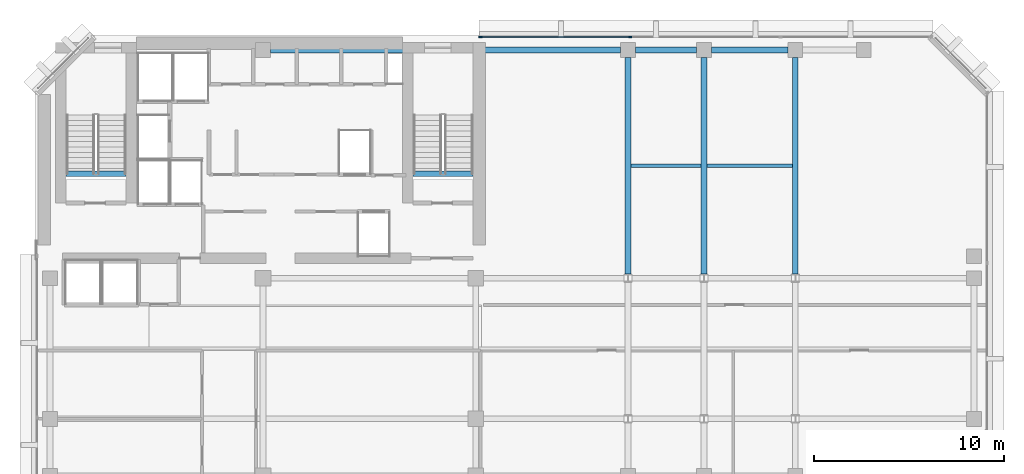
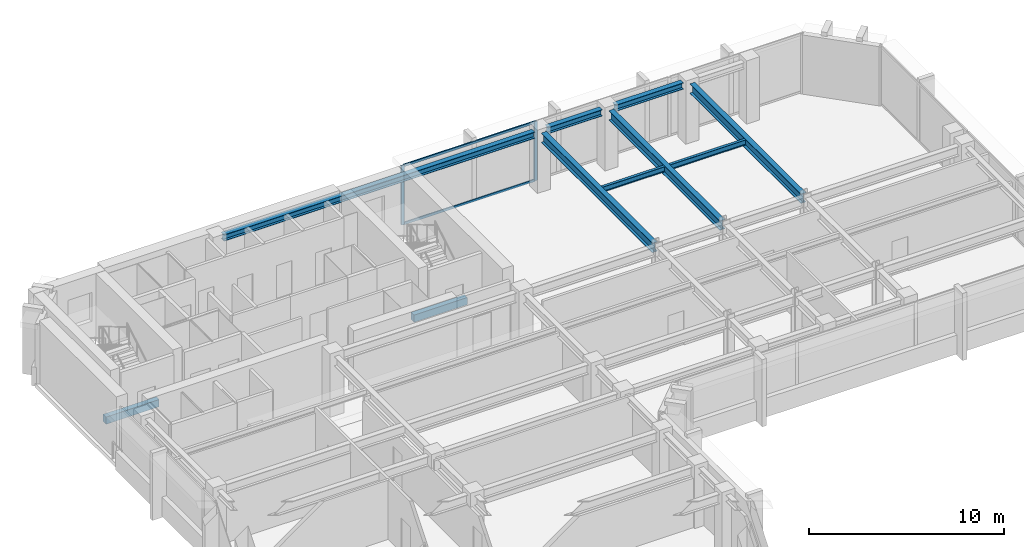
# One storey, part 4 of 12: 10 beams, 4 members, 1 element without a shape of its own.
"""IFC4 building model written with IfcOpenShell, lengths in metres."""

from ifc_helpers import new_model, si_unit, direction, frame, origin, origin_2d, place, context, subcontext, project, spatial, rectangle, i_section, extrude, material, layer, layer_set, material_profile, profile_set, type_object, element, aggregate, save


model = new_model("IFC4")

# Units and contexts
model_context = context("Model", 3, precision=1e-05, world=origin(), true_north=direction((0.0, 1.0)))
body_context = subcontext(model_context, "Body", "Model", "MODEL_VIEW")
ifc_project = project(units=[si_unit("LENGTHUNIT", "METRE"), si_unit("AREAUNIT", "SQUARE_METRE"), si_unit("VOLUMEUNIT", "CUBIC_METRE"), si_unit("PLANEANGLEUNIT", "RADIAN"), si_unit("MASSUNIT", "GRAM", prefix="KILO")], contexts=[model_context])

# Site, building, storey
site_placement = place(None, origin())
site = spatial("IfcSite", under=ifc_project, at=site_placement, CompositionType="ELEMENT")
building_placement = place(site_placement, origin())
building = spatial("IfcBuilding", under=site, at=building_placement, Name="Kefirva Bronze Tower", CompositionType="ELEMENT")
storey_placement = place(building_placement, frame((0.0, 0.0, 264.330078125)))
storey = spatial("IfcBuildingStorey", under=building, at=storey_placement, Name="L64", CompositionType="ELEMENT", Elevation=264.330078125)

# Curtain wall, members
ifc_material_1 = material(Name="Bronze anodised aluminium", Category="aluminium")
ifc_layer = layer(ifc_material_1, 0.179931640625, Name="Bronze anodised aluminium")
ifc_layer_set = layer_set([ifc_layer], Name="Bronze anodised aluminium")
curtain_wall_type = type_object("IfcCurtainWallType", Name="Unitised Bronze Ribbon Curtain Wall Zone 3", PredefinedType="USERDEFINED", material=ifc_layer_set)
curtain_wall_placement = place(storey_placement, origin())
curtain_wall = element("IfcCurtainWall", 1, at=curtain_wall_placement, inside=storey, type_object=curtain_wall_type, Name="L64 Curtain Wall 3", ObjectType="UNITISED CURTAIN WALL", PredefinedType="USERDEFINED")
ifc_material_profile_1 = material_profile(ifc_material_1, rectangle(XDim=0.074951171875, YDim=0.179931640625, at=origin_2d()), Name="ALU 75x180")
ifc_profile_set_1 = profile_set([ifc_material_profile_1], Name="Bronze anodised aluminium")
member_type_1 = type_object("IfcMemberType", Name="Bronze Mullion 75x180", PredefinedType="MULLION", material=ifc_profile_set_1)
member_1_placement = place(storey_placement, frame((31.318359375, 45.8798828125, 0.0), z_axis=(0.0, 0.0, 1.0), x_axis=(0.0, -1.0, 0.0)))
member_1 = element("IfcMember", 2, at=member_1_placement, type_object=member_type_1, Name="CW-03 mullion 3", PredefinedType="MULLION", context=body_context, shape_type="SweptSolid", body=[
    extrude(rectangle(XDim=0.074951171875, YDim=0.179931640625, at=origin_2d()), origin(), (0.0, 0.0, 1.0), 3.7099609375),
])
member_2_placement = place(storey_placement, frame((23.4423828125, 45.8798828125, 0.0), z_axis=(0.0, 0.0, 1.0), x_axis=(0.0, -1.0, 0.0)))
member_2 = element("IfcMember", 3, at=member_2_placement, type_object=member_type_1, Name="CW-03 mullion 4", PredefinedType="MULLION", context=body_context, shape_type="SweptSolid", body=[
    extrude(rectangle(XDim=0.074951171875, YDim=0.179931640625, at=origin_2d()), origin(), (0.0, 0.0, 1.0), 3.7099609375),
])
ifc_material_profile_2 = material_profile(ifc_material_1, rectangle(XDim=0.074951171875, YDim=0.14990234375, at=origin_2d()), Name="ALU 75x150")
ifc_profile_set_2 = profile_set([ifc_material_profile_2], Name="Bronze anodised aluminium")
member_type_2 = type_object("IfcMemberType", Name="Bronze Transom 75x150", PredefinedType="USERDEFINED", material=ifc_profile_set_2)
member_3_placement = place(storey_placement, frame((31.28076171875, 45.8798828125, 0.037353515625), z_axis=(-1.0, 0.0, 0.0), x_axis=(0.0, -1.0, 0.0)))
member_3 = element("IfcMember", 4, at=member_3_placement, type_object=member_type_2, Name="CW-03 transom 3.1", ObjectType="TRANSOM", PredefinedType="USERDEFINED", context=body_context, shape_type="SweptSolid", body=[
    extrude(rectangle(XDim=0.074951171875, YDim=0.14990234375, at=origin_2d()), origin(), (0.0, 0.0, 1.0), 7.80078125),
])
member_4_placement = place(storey_placement, frame((31.28076171875, 45.8798828125, 3.67236328125), z_axis=(-1.0, 0.0, 0.0), x_axis=(0.0, -1.0, 0.0)))
member_4 = element("IfcMember", 5, at=member_4_placement, type_object=member_type_2, Name="CW-03 transom 3.2", ObjectType="TRANSOM", PredefinedType="USERDEFINED", context=body_context, shape_type="SweptSolid", body=[
    extrude(rectangle(XDim=0.074951171875, YDim=0.14990234375, at=origin_2d()), origin(), (0.0, 0.0, 1.0), 7.80078125),
])
aggregate(curtain_wall, [member_1, member_2, member_3, member_4])

# Beams
ifc_material_2 = material(Name="Concrete C50/60", Category="concrete")
ifc_material_profile_3 = material_profile(ifc_material_2, rectangle(XDim=0.300048828125, YDim=0.449951171875, at=origin_2d()), Name="RC 300x450")
ifc_profile_set_3 = profile_set([ifc_material_profile_3], Name="Concrete C50/60")
beam_type_1 = type_object("IfcBeamType", Name="RC Stair Trimmer Beam 300x450", PredefinedType="BEAM", material=ifc_profile_set_3)
beam_1_placement = place(storey_placement, frame((1.64501953125, 38.699951171875, -0.22509765625), z_axis=(1.0, 0.0, 0.0), x_axis=(0.0, 1.0, 0.0)))
element("IfcBeam", 6, at=beam_1_placement, inside=storey, type_object=beam_type_1, Name="L64 Stair 1 Landing Trimmer Beam", PredefinedType="BEAM", context=body_context, shape_type="SweptSolid", body=[
    extrude(rectangle(XDim=0.300048828125, YDim=0.449951171875, at=origin_2d()), origin(), (0.0, 0.0, 1.0), 3.14990234375),
])
beam_2_placement = place(storey_placement, frame((19.89501953125, 38.699951171875, -0.22509765625), z_axis=(1.0, 0.0, 0.0), x_axis=(0.0, 1.0, 0.0)))
element("IfcBeam", 7, at=beam_2_placement, inside=storey, type_object=beam_type_1, Name="L64 Stair 2 Landing Trimmer Beam", PredefinedType="BEAM", context=body_context, shape_type="SweptSolid", body=[
    extrude(rectangle(XDim=0.300048828125, YDim=0.449951171875, at=origin_2d()), origin(), (0.0, 0.0, 1.0), 3.159912109375),
])
ifc_material_3 = material(Name="Steel S355", Category="steel")
ifc_material_profile_4 = material_profile(ifc_material_3, i_section(OverallWidth=0.159912109375, OverallDepth=0.330078125, WebThickness=0.007568359375, FlangeThickness=0.011474609375, at=origin_2d()), Name="IPE 330")
ifc_profile_set_4 = profile_set([ifc_material_profile_4], Name="Steel S355")
beam_type_2 = type_object("IfcBeamType", Name="Steel Floor Joist IPE 330", PredefinedType="JOIST", material=ifc_profile_set_4)
beam_3_placement = place(storey_placement, frame((31.35009765625, 39.11376953125, 3.544921875), z_axis=(1.0, 0.0, 0.0), x_axis=(0.0, 1.0, 0.0)))
element("IfcBeam", 8, at=beam_3_placement, inside=storey, type_object=beam_type_2, Name="L64 JST-L64-31-391", PredefinedType="JOIST", context=body_context, shape_type="SweptSolid", body=[
    extrude(i_section(OverallWidth=0.159912109375, OverallDepth=0.330078125, WebThickness=0.007568359375, FlangeThickness=0.011474609375, at=origin_2d()), origin(), (0.0, 0.0, 1.0), 3.699951171875),
])
beam_4_placement = place(storey_placement, frame((35.35009765625, 39.11376953125, 3.544921875), z_axis=(1.0, 0.0, 0.0), x_axis=(0.0, 1.0, 0.0)))
element("IfcBeam", 9, at=beam_4_placement, inside=storey, type_object=beam_type_2, Name="L64 JST-L64-35-391", PredefinedType="JOIST", context=body_context, shape_type="SweptSolid", body=[
    extrude(i_section(OverallWidth=0.159912109375, OverallDepth=0.330078125, WebThickness=0.007568359375, FlangeThickness=0.011474609375, at=origin_2d()), origin(), (0.0, 0.0, 1.0), 4.5),
])
ifc_material_profile_5 = material_profile(ifc_material_3, i_section(OverallWidth=0.300048828125, OverallDepth=0.60009765625, WebThickness=0.015380859375, FlangeThickness=0.030029296875, at=origin_2d()), Name="HEB 600")
ifc_profile_set_5 = profile_set([ifc_material_profile_5], Name="Steel S355")
beam_type_3 = type_object("IfcBeamType", Name="Steel Girder HEB 600", PredefinedType="USERDEFINED", material=ifc_profile_set_5)
for number, where, z_axis, x_axis, name in (
    (10, (31.199951171875, 33.41748046875, 3.409912109375), (0.0, 1.0, 0.0), (-1.0, 0.0, 0.0), "L64 BM-L64-NS-312-33"),
    (11, (35.199951171875, 33.41748046875, 3.409912109375), (0.0, 1.0, 0.0), (-1.0, 0.0, 0.0), "L64 BM-L64-NS-352-33"),
    (12, (40.0, 33.41748046875, 3.409912109375), (0.0, 1.0, 0.0), (-1.0, 0.0, 0.0), "L64 BM-L64-NS-400-33"),
):
    element("IfcBeam", number, at=place(storey_placement, frame(where, z_axis=z_axis, x_axis=x_axis)), inside=storey, type_object=beam_type_3, Name=name, ObjectType="GIRDER", PredefinedType="USERDEFINED", context=body_context, shape_type="SweptSolid", body=[
        extrude(i_section(OverallWidth=0.300048828125, OverallDepth=0.60009765625, WebThickness=0.015380859375, FlangeThickness=0.030029296875, at=origin_2d()), origin(), (0.0, 0.0, 1.0), 11.392578125),
    ])
ifc_material_profile_6 = material_profile(ifc_material_3, i_section(OverallWidth=0.300048828125, OverallDepth=0.39990234375, WebThickness=0.013427734375, FlangeThickness=0.02392578125, at=origin_2d()), Name="HEB 400")
ifc_profile_set_6 = profile_set([ifc_material_profile_6], Name="Steel S355")
beam_type_4 = type_object("IfcBeamType", Name="Steel Spandrel HEB 400 Ext", PredefinedType="SPANDREL", material=ifc_profile_set_6)
beam_5_placement = place(storey_placement, frame((12.389892578125, 45.199951171875, 3.510009765625), z_axis=(1.0, 0.0, 0.0), x_axis=(0.0, 1.0, 0.0)))
element("IfcBeam", 13, at=beam_5_placement, inside=storey, type_object=beam_type_4, Name="L64 BM-L64-EW-12-452", PredefinedType="SPANDREL", context=body_context, shape_type="SweptSolid", body=[
    extrude(i_section(OverallWidth=0.300048828125, OverallDepth=0.39990234375, WebThickness=0.013427734375, FlangeThickness=0.02392578125, at=origin_2d()), origin(), (0.0, 0.0, 1.0), 18.420166015625),
])
beam_6_placement = place(storey_placement, frame((31.590087890625, 45.199951171875, 3.510009765625), z_axis=(1.0, 0.0, 0.0), x_axis=(0.0, 1.0, 0.0)))
element("IfcBeam", 14, at=beam_6_placement, inside=storey, type_object=beam_type_4, Name="L64 BM-L64-EW-31-452", PredefinedType="SPANDREL", context=body_context, shape_type="SweptSolid", body=[
    extrude(i_section(OverallWidth=0.300048828125, OverallDepth=0.39990234375, WebThickness=0.013427734375, FlangeThickness=0.02392578125, at=origin_2d()), origin(), (0.0, 0.0, 1.0), 3.219970703125),
])
beam_7_placement = place(storey_placement, frame((35.590087890625, 45.199951171875, 3.510009765625), z_axis=(1.0, 0.0, 0.0), x_axis=(0.0, 1.0, 0.0)))
element("IfcBeam", 15, at=beam_7_placement, inside=storey, type_object=beam_type_4, Name="L64 BM-L64-EW-35-452", PredefinedType="SPANDREL", context=body_context, shape_type="SweptSolid", body=[
    extrude(i_section(OverallWidth=0.300048828125, OverallDepth=0.39990234375, WebThickness=0.013427734375, FlangeThickness=0.02392578125, at=origin_2d()), origin(), (0.0, 0.0, 1.0), 4.02001953125),
])

save(model, "model.ifc")
